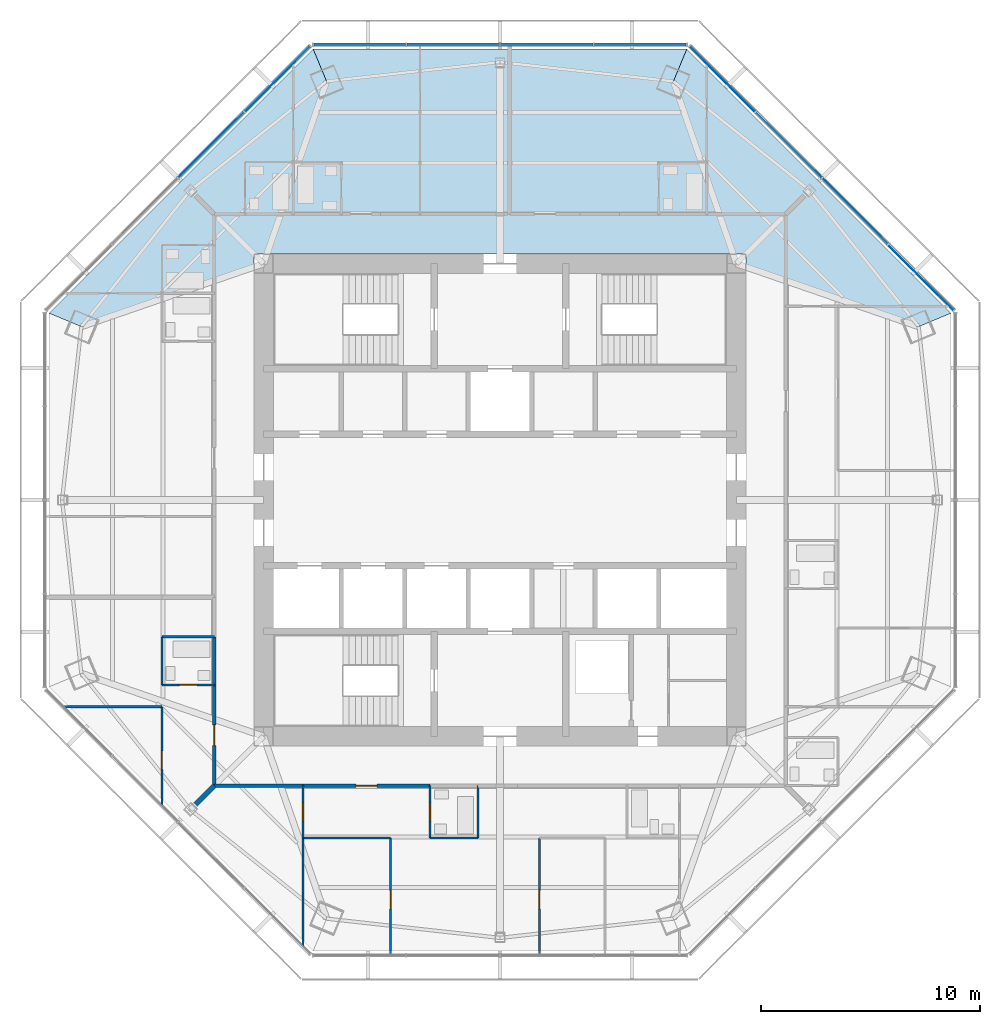
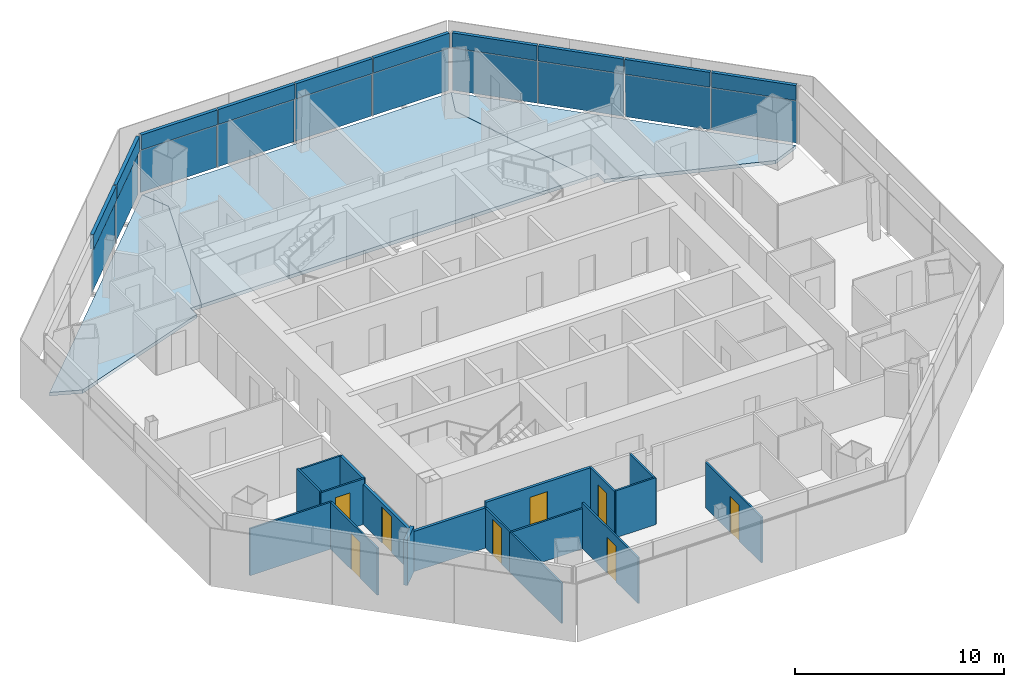
# One storey, part 8 of 14: 20 plates, 18 walls, 8 doors, 3 slabs, 8 openings, 3 elements without a shape of their own.
"""IFC4 building model written with IfcOpenShell, lengths in metres."""

from ifc_helpers import new_model, si_unit, direction, frame, frame_2d, origin, origin_2d, place, context, subcontext, project, spatial, polyline, rectangle, outline, extrude, source, transform, mapped, material, layer, layer_set, type_object, type_shapes, element, fill, aggregate, save


model = new_model("IFC4")

# Units and contexts
model_context = context("Model", 3, precision=1e-05, world=origin(), true_north=direction((0.0, 1.0)))
body_context = subcontext(model_context, "Body", "Model", "MODEL_VIEW")
ifc_project = project(units=[si_unit("LENGTHUNIT", "METRE"), si_unit("AREAUNIT", "SQUARE_METRE"), si_unit("VOLUMEUNIT", "CUBIC_METRE"), si_unit("PLANEANGLEUNIT", "RADIAN"), si_unit("MASSUNIT", "GRAM", prefix="KILO")], contexts=[model_context])

# Site, building, storey
site_placement = place(None, origin())
site = spatial("IfcSite", under=ifc_project, at=site_placement, CompositionType="ELEMENT")
building_placement = place(site_placement, origin())
building = spatial("IfcBuilding", under=site, at=building_placement, Name="Mashrafa Tower", CompositionType="ELEMENT")
storey_placement = place(building_placement, frame((0.0, 0.0, 255.0)))
storey = spatial("IfcBuildingStorey", under=building, at=storey_placement, Name="L61", CompositionType="ELEMENT", Elevation=255.0)

# Slabs
ifc_material_1 = material(Name="Concrete C35/45", Category="concrete")
ifc_layer_1 = layer(ifc_material_1, 0.199951171875)
ifc_layer_set_1 = layer_set([ifc_layer_1], Name="Floor slab 200")
slab_type = type_object("IfcSlabType", Name="Floor slab 200", PredefinedType="FLOOR", material=ifc_layer_set_1)
slab_1_placement = place(storey_placement, frame((0.0, 0.0, -0.199951171875)))
element("IfcSlab", 1, at=slab_1_placement, inside=storey, type_object=slab_type, Name="Floor slab L61 north-east bay", PredefinedType="FLOOR", context=body_context, shape_type="SweptSolid", body=[
    extrude(outline(polyline([(8.533203125, 20.60107421875), (20.60107421875, 8.533203125), (20.60107421875, 8.533203125), (19.128662109375, 7.92333984375), (11.25, 10.64453125), (11.25, 11.25), (10.64453125, 11.25), (7.92333984375, 19.128662109375), (8.533203125, 20.60107421875), (8.533203125, 20.60107421875)])), origin(), (0.0, 0.0, 1.0), 0.199951171875),
])
slab_2_placement = place(storey_placement, frame((0.0, 0.0, -0.199951171875)))
element("IfcSlab", 2, at=slab_2_placement, inside=storey, type_object=slab_type, Name="Floor slab L61 north bay", PredefinedType="FLOOR", context=body_context, shape_type="SweptSolid", body=[
    extrude(outline(polyline([(8.533203125, 20.60107421875), (7.92333984375, 19.128662109375), (10.64453125, 11.25), (-10.64453125, 11.25), (-7.92333984375, 19.128662109375), (-8.533203125, 20.60107421875), (8.533203125, 20.60107421875)])), origin(), (0.0, 0.0, 1.0), 0.199951171875),
])
slab_3_placement = place(storey_placement, frame((0.0, 0.0, -0.199951171875)))
element("IfcSlab", 3, at=slab_3_placement, inside=storey, type_object=slab_type, Name="Floor slab L61 north-west bay", PredefinedType="FLOOR", context=body_context, shape_type="SweptSolid", body=[
    extrude(outline(polyline([(-20.60107421875, 8.533203125), (-8.533203125, 20.60107421875), (-8.533203125, 20.60107421875), (-7.92333984375, 19.128662109375), (-10.64453125, 11.25), (-11.25, 11.25), (-11.25, 10.64453125), (-19.128662109375, 7.92333984375), (-20.60107421875, 8.533203125), (-20.60107421875, 8.533203125)])), origin(), (0.0, 0.0, 1.0), 0.199951171875),
])

# Curtain wall, plates
ifc_material_2 = material(Name="Unitised aluminium curtain wall", Category="aluminium")
curtain_wall_type = type_object("IfcCurtainWallType", Name="Apartment curtain wall, zone 3 CW-C 180 deep", PredefinedType="NOTDEFINED", material=ifc_material_2)
curtain_wall_1_placement = place(storey_placement, origin())
curtain_wall_1 = element("IfcCurtainWall", 4, at=curtain_wall_1_placement, inside=storey, type_object=curtain_wall_type, Name="Apartment curtain wall, zone 3 L61 north-east", PredefinedType="NOTDEFINED")
ifc_material_3 = material(Name="Insulated double glazing, acoustic", Category="glass")
ifc_layer_2 = layer(ifc_material_3, 0.028076171875)
ifc_layer_set_2 = layer_set([ifc_layer_2], Name="Vision panel CW-C 28")
plate_type_1 = type_object("IfcPlateType", Name="Vision panel CW-C 28", PredefinedType="CURTAIN_PANEL", material=ifc_layer_set_2)
shared_shape_1 = source(origin(), body_context, "Body", "SweptSolid", [
    extrude(rectangle(XDim=4.1943359375, YDim=0.028076171875, at=origin_2d()), origin(), (0.0, 0.0, 1.0), 2.46240234375),
])
plate_1_placement = place(storey_placement, frame((19.242431640625, 10.1748046875, 0.0), z_axis=(0.0, 0.0, 1.0), x_axis=(-0.707106781187, 0.707106781187, 0.0)))
plate_1 = element("IfcPlate", 5, at=plate_1_placement, type_object=plate_type_1, Name="CW-C vision panel 1", PredefinedType="CURTAIN_PANEL", context=body_context, shape_type="MappedRepresentation", body=[
    mapped(shared_shape_1, transform((0.0, 0.0, 0.0))),
])
plate_2_placement = place(storey_placement, frame((10.1748046875, 19.242431640625, 0.0), z_axis=(0.0, 0.0, 1.0), x_axis=(-0.707106781187, 0.707106781187, 0.0)))
plate_2 = element("IfcPlate", 6, at=plate_2_placement, type_object=plate_type_1, Name="CW-C vision panel 4", PredefinedType="CURTAIN_PANEL", context=body_context, shape_type="MappedRepresentation", body=[
    mapped(shared_shape_1, transform((0.0, 0.0, 0.0))),
])

curtain_wall_2_placement = place(storey_placement, origin())
curtain_wall_2 = element("IfcCurtainWall", 7, at=curtain_wall_2_placement, inside=storey, type_object=curtain_wall_type, Name="Apartment curtain wall, zone 3 L61 north", PredefinedType="NOTDEFINED")
plate_3_placement = place(storey_placement, frame((6.41162109375, 20.801025390625, 0.0), z_axis=(0.0, 0.0, 1.0), x_axis=(-1.0, 0.0, 0.0)))
plate_3 = element("IfcPlate", 8, at=plate_3_placement, type_object=plate_type_1, Name="CW-C vision panel 1", PredefinedType="CURTAIN_PANEL", context=body_context, shape_type="MappedRepresentation", body=[
    mapped(shared_shape_1, transform((0.0, 0.0, 0.0))),
])
plate_4_placement = place(storey_placement, frame((-6.41162109375, 20.801025390625, 0.0), z_axis=(0.0, 0.0, 1.0), x_axis=(-1.0, 0.0, 0.0)))
plate_4 = element("IfcPlate", 9, at=plate_4_placement, type_object=plate_type_1, Name="CW-C vision panel 4", PredefinedType="CURTAIN_PANEL", context=body_context, shape_type="MappedRepresentation", body=[
    mapped(shared_shape_1, transform((0.0, 0.0, 0.0))),
])

# Curtain wall, plate
curtain_wall_3_placement = place(storey_placement, origin())
curtain_wall_3 = element("IfcCurtainWall", 10, at=curtain_wall_3_placement, inside=storey, type_object=curtain_wall_type, Name="Apartment curtain wall, zone 3 L61 north-west", PredefinedType="NOTDEFINED")
plate_5_placement = place(storey_placement, frame((-10.1748046875, 19.242431640625, 0.0), z_axis=(0.0, 0.0, 1.0), x_axis=(-0.707106781187, -0.707106781187, 0.0)))
plate_5 = element("IfcPlate", 11, at=plate_5_placement, type_object=plate_type_1, Name="CW-C vision panel 1", PredefinedType="CURTAIN_PANEL", context=body_context, shape_type="MappedRepresentation", body=[
    mapped(shared_shape_1, transform((0.0, 0.0, 0.0))),
])

# Plate
ifc_material_4 = material(Name="Insulated bronze aluminium spandrel panel", Category="aluminium")
ifc_layer_3 = layer(ifc_material_4, 0.179931640625)
ifc_layer_set_3 = layer_set([ifc_layer_3], Name="Spandrel panel CW-C 180")
plate_type_2 = type_object("IfcPlateType", Name="Spandrel panel CW-C 180", PredefinedType="CURTAIN_PANEL", material=ifc_layer_set_3)
shared_shape_2 = source(origin(), body_context, "Body", "SweptSolid", [
    extrude(rectangle(XDim=4.1943359375, YDim=0.179931640625, at=origin_2d()), origin(), (0.0, 0.0, 1.0), 0.862548828125),
])
plate_6_placement = place(storey_placement, frame((19.242431640625, 10.1748046875, 2.53759765625), z_axis=(0.0, 0.0, 1.0), x_axis=(-0.707106781187, 0.707106781187, 0.0)))
plate_6 = element("IfcPlate", 12, at=plate_6_placement, type_object=plate_type_2, Name="CW-C spandrel panel 1", PredefinedType="CURTAIN_PANEL", context=body_context, shape_type="MappedRepresentation", body=[
    mapped(shared_shape_2, transform((0.0, 0.0, 0.0))),
])

plate_7_placement = place(storey_placement, frame((10.1748046875, 19.242431640625, 2.53759765625), z_axis=(0.0, 0.0, 1.0), x_axis=(-0.707106781187, 0.707106781187, 0.0)))
plate_7 = element("IfcPlate", 13, at=plate_7_placement, type_object=plate_type_2, Name="CW-C spandrel panel 4", PredefinedType="CURTAIN_PANEL", context=body_context, shape_type="MappedRepresentation", body=[
    mapped(shared_shape_2, transform((0.0, 0.0, 0.0))),
])

plate_8_placement = place(storey_placement, frame((6.41162109375, 20.801025390625, 2.53759765625), z_axis=(0.0, 0.0, 1.0), x_axis=(-1.0, 0.0, 0.0)))
plate_8 = element("IfcPlate", 14, at=plate_8_placement, type_object=plate_type_2, Name="CW-C spandrel panel 1", PredefinedType="CURTAIN_PANEL", context=body_context, shape_type="MappedRepresentation", body=[
    mapped(shared_shape_2, transform((0.0, 0.0, 0.0))),
])

plate_9_placement = place(storey_placement, frame((-6.41162109375, 20.801025390625, 2.53759765625), z_axis=(0.0, 0.0, 1.0), x_axis=(-1.0, 0.0, 0.0)))
plate_9 = element("IfcPlate", 15, at=plate_9_placement, type_object=plate_type_2, Name="CW-C spandrel panel 4", PredefinedType="CURTAIN_PANEL", context=body_context, shape_type="MappedRepresentation", body=[
    mapped(shared_shape_2, transform((0.0, 0.0, 0.0))),
])

plate_10_placement = place(storey_placement, frame((-10.1748046875, 19.242431640625, 2.53759765625), z_axis=(0.0, 0.0, 1.0), x_axis=(-0.707106781187, -0.707106781187, 0.0)))
plate_10 = element("IfcPlate", 16, at=plate_10_placement, type_object=plate_type_2, Name="CW-C spandrel panel 1", PredefinedType="CURTAIN_PANEL", context=body_context, shape_type="MappedRepresentation", body=[
    mapped(shared_shape_2, transform((0.0, 0.0, 0.0))),
])

shared_shape_3 = source(origin(), body_context, "Body", "SweptSolid", [
    extrude(rectangle(XDim=4.224365234375, YDim=0.028076171875, at=origin_2d()), origin(), (0.0, 0.0, 1.0), 2.46240234375),
])
type_shapes(plate_type_1, [shared_shape_1, shared_shape_3])
plate_11_placement = place(storey_placement, frame((16.223388671875, 13.19384765625, 0.0), z_axis=(0.0, 0.0, 1.0), x_axis=(-0.707106781187, 0.707106781187, 0.0)))
plate_11 = element("IfcPlate", 17, at=plate_11_placement, type_object=plate_type_1, Name="CW-C vision panel 2", PredefinedType="CURTAIN_PANEL", context=body_context, shape_type="MappedRepresentation", body=[
    mapped(shared_shape_3, transform((0.0, 0.0, 0.0))),
])

plate_12_placement = place(storey_placement, frame((13.19384765625, 16.223388671875, 0.0), z_axis=(0.0, 0.0, 1.0), x_axis=(-0.707106781187, 0.707106781187, 0.0)))
plate_12 = element("IfcPlate", 18, at=plate_12_placement, type_object=plate_type_1, Name="CW-C vision panel 3", PredefinedType="CURTAIN_PANEL", context=body_context, shape_type="MappedRepresentation", body=[
    mapped(shared_shape_3, transform((0.0, 0.0, 0.0))),
])

plate_13_placement = place(storey_placement, frame((2.14208984375, 20.801025390625, 0.0), z_axis=(0.0, 0.0, 1.0), x_axis=(-1.0, 0.0, 0.0)))
plate_13 = element("IfcPlate", 19, at=plate_13_placement, type_object=plate_type_1, Name="CW-C vision panel 2", PredefinedType="CURTAIN_PANEL", context=body_context, shape_type="MappedRepresentation", body=[
    mapped(shared_shape_3, transform((0.0, 0.0, 0.0))),
])

plate_14_placement = place(storey_placement, frame((-2.14208984375, 20.801025390625, 0.0), z_axis=(0.0, 0.0, 1.0), x_axis=(-1.0, 0.0, 0.0)))
plate_14 = element("IfcPlate", 20, at=plate_14_placement, type_object=plate_type_1, Name="CW-C vision panel 3", PredefinedType="CURTAIN_PANEL", context=body_context, shape_type="MappedRepresentation", body=[
    mapped(shared_shape_3, transform((0.0, 0.0, 0.0))),
])

plate_15_placement = place(storey_placement, frame((-13.19384765625, 16.223388671875, 0.0), z_axis=(0.0, 0.0, 1.0), x_axis=(-0.707106781187, -0.707106781187, 0.0)))
plate_15 = element("IfcPlate", 21, at=plate_15_placement, type_object=plate_type_1, Name="CW-C vision panel 2", PredefinedType="CURTAIN_PANEL", context=body_context, shape_type="MappedRepresentation", body=[
    mapped(shared_shape_3, transform((0.0, 0.0, 0.0))),
])

shared_shape_4 = source(origin(), body_context, "Body", "SweptSolid", [
    extrude(rectangle(XDim=4.224365234375, YDim=0.179931640625, at=origin_2d()), origin(), (0.0, 0.0, 1.0), 0.862548828125),
])
type_shapes(plate_type_2, [shared_shape_2, shared_shape_4])
plate_16_placement = place(storey_placement, frame((16.223388671875, 13.19384765625, 2.53759765625), z_axis=(0.0, 0.0, 1.0), x_axis=(-0.707106781187, 0.707106781187, 0.0)))
plate_16 = element("IfcPlate", 22, at=plate_16_placement, type_object=plate_type_2, Name="CW-C spandrel panel 2", PredefinedType="CURTAIN_PANEL", context=body_context, shape_type="MappedRepresentation", body=[
    mapped(shared_shape_4, transform((0.0, 0.0, 0.0))),
])

plate_17_placement = place(storey_placement, frame((13.19384765625, 16.223388671875, 2.53759765625), z_axis=(0.0, 0.0, 1.0), x_axis=(-0.707106781187, 0.707106781187, 0.0)))
plate_17 = element("IfcPlate", 23, at=plate_17_placement, type_object=plate_type_2, Name="CW-C spandrel panel 3", PredefinedType="CURTAIN_PANEL", context=body_context, shape_type="MappedRepresentation", body=[
    mapped(shared_shape_4, transform((0.0, 0.0, 0.0))),
])

aggregate(curtain_wall_1, [plate_1, plate_6, plate_11, plate_16, plate_12, plate_17, plate_2, plate_7])

plate_18_placement = place(storey_placement, frame((2.14208984375, 20.801025390625, 2.53759765625), z_axis=(0.0, 0.0, 1.0), x_axis=(-1.0, 0.0, 0.0)))
plate_18 = element("IfcPlate", 24, at=plate_18_placement, type_object=plate_type_2, Name="CW-C spandrel panel 2", PredefinedType="CURTAIN_PANEL", context=body_context, shape_type="MappedRepresentation", body=[
    mapped(shared_shape_4, transform((0.0, 0.0, 0.0))),
])

plate_19_placement = place(storey_placement, frame((-2.14208984375, 20.801025390625, 2.53759765625), z_axis=(0.0, 0.0, 1.0), x_axis=(-1.0, 0.0, 0.0)))
plate_19 = element("IfcPlate", 25, at=plate_19_placement, type_object=plate_type_2, Name="CW-C spandrel panel 3", PredefinedType="CURTAIN_PANEL", context=body_context, shape_type="MappedRepresentation", body=[
    mapped(shared_shape_4, transform((0.0, 0.0, 0.0))),
])

aggregate(curtain_wall_2, [plate_3, plate_8, plate_13, plate_18, plate_14, plate_19, plate_4, plate_9])

plate_20_placement = place(storey_placement, frame((-13.19384765625, 16.223388671875, 2.53759765625), z_axis=(0.0, 0.0, 1.0), x_axis=(-0.707106781187, -0.707106781187, 0.0)))
plate_20 = element("IfcPlate", 26, at=plate_20_placement, type_object=plate_type_2, Name="CW-C spandrel panel 2", PredefinedType="CURTAIN_PANEL", context=body_context, shape_type="MappedRepresentation", body=[
    mapped(shared_shape_4, transform((0.0, 0.0, 0.0))),
])

aggregate(curtain_wall_3, [plate_5, plate_10, plate_15, plate_20])

# Walls
ifc_material_5 = material(Name="Gypsum board on steel studs", Category="steel")
ifc_layer_4 = layer(ifc_material_5, 0.199951171875)
ifc_layer_set_4 = layer_set([ifc_layer_4], Name="Acoustic partition 200 1 hr")
wall_type_1 = type_object("IfcWallType", Name="Acoustic partition 200 1 hr", PredefinedType="PARTITIONING", material=ifc_layer_set_4)
wall_1_placement = place(storey_placement, frame((-13.90234375, -13.90234375, 0.0), z_axis=(0.0, 0.0, 1.0), x_axis=(0.707106781187, 0.707106781187, 0.0)))
element("IfcWall", 27, at=wall_1_placement, inside=storey, type_object=wall_type_1, Name="Acoustic wall L61-086", PredefinedType="PARTITIONING", context=body_context, shape_type="SweptSolid", body=[
    extrude(rectangle(XDim=1.205322265625, YDim=0.199951171875, at=frame_2d((0.6025390625, 0.0))), origin(), (0.0, 0.0, 1.0), 2.656494140625),
])
ifc_material_6 = material(Name="Gypsum board on steel studs", Category="steel")
ifc_layer_5 = layer(ifc_material_6, 0.14990234375)
ifc_layer_set_5 = layer_set([ifc_layer_5], Name="Corridor partition 150 1 hr")
wall_type_2 = type_object("IfcWallType", Name="Corridor partition 150 1 hr", PredefinedType="PARTITIONING", material=ifc_layer_set_5)
wall_2_placement = place(storey_placement, frame((-13.050048828125, -6.2490234375, 0.0), z_axis=(0.0, 0.0, 1.0), x_axis=(0.0, -1.0, 0.0)))
element("IfcWall", 28, at=wall_2_placement, inside=storey, type_object=wall_type_2, Name="Corridor wall L61-030", PredefinedType="PARTITIONING", context=body_context, shape_type="SweptSolid", body=[
    extrude(rectangle(XDim=2.201904296875, YDim=0.14990234375, at=frame_2d((1.10107421875, 0.0))), origin(), (0.0, 0.0, 1.0), 2.66162109375),
])

# Wall, opening, door
wall_3_placement = place(storey_placement, frame((-13.050048828125, -8.448974609375, 0.0), z_axis=(0.0, 0.0, 1.0), x_axis=(0.0, -1.0, 0.0)))
wall_3 = element("IfcWall", 29, at=wall_3_placement, inside=storey, type_object=wall_type_2, Name="Corridor wall L61-032", PredefinedType="PARTITIONING", context=body_context, shape_type="SweptSolid", body=[
    extrude(rectangle(XDim=4.60107421875, YDim=0.14990234375, at=frame_2d((2.300537109375, 0.0))), origin(), (0.0, 0.0, 1.0), 2.349365234375),
])
opening_1_placement = place(wall_3_placement, frame((1.825439453125, 0.0, 0.0)))
opening_1 = element("IfcOpeningElement", 30, at=opening_1_placement, cuts=wall_3, Name="Opening 61.023", PredefinedType="OPENING", context=body_context, shape_type="SweptSolid", body=[
    extrude(rectangle(XDim=0.949951171875, YDim=2.10009765625, at=frame_2d((0.47509765625, 1.050048828125))), frame((0.0, 0.0849609375, 0.0), z_axis=(0.0, -1.0, 0.0), x_axis=(1.0, 0.0, 0.0)), (0.0, 0.0, 1.0), 0.169921875),
])
ifc_material_7 = material(Name="Steel door", Category="steel")
door_type_1 = type_object("IfcDoorType", Name="Residence entrance door 950 x 2100 20 min", OperationType="USERDEFINED", PredefinedType="DOOR", material=ifc_material_7)
door_1_placement = place(opening_1_placement, frame((0.949951171875, 0.0, 0.0), z_axis=(0.0, 0.0, 1.0), x_axis=(-1.0, 0.0, 0.0)))
door_1 = element("IfcDoor", 31, at=door_1_placement, inside=storey, type_object=door_type_1, Name="Apartment 6105 Living Room door", OperationType="SINGLE_SWING_LEFT", OverallHeight=2.10009765625, OverallWidth=0.949951171875, PredefinedType="DOOR", context=body_context, shape_type="SweptSolid", body=[
    extrude(rectangle(XDim=0.949951171875, YDim=2.10009765625, at=frame_2d((0.47509765625, 1.050048828125))), frame((0.0, 0.02490234375, 0.0), z_axis=(0.0, -1.0, 0.0), x_axis=(1.0, 0.0, 0.0)), (0.0, 0.0, 1.0), 0.050048828125),
])
fill(opening_1, door_1)

# Wall
wall_4_placement = place(storey_placement, frame((-13.050048828125, -13.050048828125, 0.0), z_axis=(0.0, 0.0, 1.0), x_axis=(1.0, 0.0, 0.0)))
element("IfcWall", 32, at=wall_4_placement, inside=storey, type_object=wall_type_2, Name="Corridor wall L61-033", PredefinedType="PARTITIONING", context=body_context, shape_type="SweptSolid", body=[
    extrude(rectangle(XDim=4.051025390625, YDim=0.14990234375, at=frame_2d((2.025390625, 0.0))), origin(), (0.0, 0.0, 1.0), 2.349365234375),
])

# Wall, opening, door
wall_5_placement = place(storey_placement, frame((-9.0009765625, -13.050048828125, 0.0), z_axis=(0.0, 0.0, 1.0), x_axis=(1.0, 0.0, 0.0)))
wall_5 = element("IfcWall", 33, at=wall_5_placement, inside=storey, type_object=wall_type_2, Name="Corridor wall L61-040", PredefinedType="PARTITIONING", context=body_context, shape_type="SweptSolid", body=[
    extrude(rectangle(XDim=5.802001953125, YDim=0.14990234375, at=frame_2d((2.90087890625, 0.0))), origin(), (0.0, 0.0, 1.0), 2.66162109375),
])
opening_2_placement = place(wall_5_placement, frame((2.426025390625, 0.0, 0.0)))
opening_2 = element("IfcOpeningElement", 34, at=opening_2_placement, cuts=wall_5, Name="Opening 61.029", PredefinedType="OPENING", context=body_context, shape_type="SweptSolid", body=[
    extrude(rectangle(XDim=0.949951171875, YDim=2.10009765625, at=frame_2d((0.47509765625, 1.050048828125))), frame((0.0, 0.0849609375, 0.0), z_axis=(0.0, -1.0, 0.0), x_axis=(1.0, 0.0, 0.0)), (0.0, 0.0, 1.0), 0.169921875),
])
door_2_placement = place(opening_2_placement, frame((0.949951171875, 0.0, 0.0), z_axis=(0.0, 0.0, 1.0), x_axis=(-1.0, 0.0, 0.0)))
door_2 = element("IfcDoor", 35, at=door_2_placement, inside=storey, type_object=door_type_1, Name="Apartment 6106 Living Room door", OperationType="SINGLE_SWING_RIGHT", OverallHeight=2.10009765625, OverallWidth=0.949951171875, PredefinedType="DOOR", context=body_context, shape_type="SweptSolid", body=[
    extrude(rectangle(XDim=0.949951171875, YDim=2.10009765625, at=frame_2d((0.47509765625, 1.050048828125))), frame((0.0, 0.02490234375, 0.0), z_axis=(0.0, -1.0, 0.0), x_axis=(1.0, 0.0, 0.0)), (0.0, 0.0, 1.0), 0.050048828125),
])
fill(opening_2, door_2)

ifc_material_8 = material(Name="Gypsum board on steel studs", Category="steel")
ifc_layer_6 = layer(ifc_material_8, 0.10009765625)
ifc_layer_set_6 = layer_set([ifc_layer_6], Name="Partition 100")
wall_type_3 = type_object("IfcWallType", Name="Partition 100", PredefinedType="PARTITIONING", material=ifc_layer_set_6)
wall_6_placement = place(storey_placement, frame((-15.449951171875, -13.9453125, 0.0), z_axis=(0.0, 0.0, 1.0), x_axis=(0.0, 1.0, 0.0)))
wall_6 = element("IfcWall", 36, at=wall_6_placement, inside=storey, type_object=wall_type_3, Name="Partition wall L61-081", PredefinedType="PARTITIONING", context=body_context, shape_type="SweptSolid", body=[
    extrude(rectangle(XDim=4.495361328125, YDim=0.10009765625, at=frame_2d((2.24755859375, 0.0))), origin(), (0.0, 0.0, 1.0), 2.740478515625),
])
opening_3_placement = place(wall_6_placement, frame((1.625732421875, 0.0, 0.0)))
opening_3 = element("IfcOpeningElement", 37, at=opening_3_placement, cuts=wall_6, Name="Opening 61.021", PredefinedType="OPENING", context=body_context, shape_type="SweptSolid", body=[
    extrude(rectangle(XDim=0.85009765625, YDim=2.10009765625, at=frame_2d((0.425048828125, 1.050048828125))), frame((0.0, 0.06005859375, 0.0), z_axis=(0.0, -1.0, 0.0), x_axis=(1.0, 0.0, 0.0)), (0.0, 0.0, 1.0), 0.1201171875),
])
ifc_material_9 = material(Name="Timber door", Category="wood")
door_type_2 = type_object("IfcDoorType", Name="Bedroom door 850 x 2100", OperationType="USERDEFINED", PredefinedType="DOOR", material=ifc_material_9)
door_3_placement = place(opening_3_placement, origin())
door_3 = element("IfcDoor", 38, at=door_3_placement, inside=storey, type_object=door_type_2, Name="Apartment 6105 Bedroom 1 door", OperationType="SINGLE_SWING_LEFT", OverallHeight=2.10009765625, OverallWidth=0.85009765625, PredefinedType="DOOR", context=body_context, shape_type="SweptSolid", body=[
    extrude(rectangle(XDim=0.85009765625, YDim=2.10009765625, at=frame_2d((0.425048828125, 1.050048828125))), frame((0.0, 0.02490234375, 0.0), z_axis=(0.0, -1.0, 0.0), x_axis=(1.0, 0.0, 0.0)), (0.0, 0.0, 1.0), 0.050048828125),
])
fill(opening_3, door_3)

# Walls
wall_7_placement = place(storey_placement, frame((-15.449951171875, -9.449951171875, 0.0), z_axis=(0.0, 0.0, 1.0), x_axis=(-1.0, 0.0, 0.0)))
element("IfcWall", 39, at=wall_7_placement, inside=storey, type_object=wall_type_3, Name="Partition wall L61-082", PredefinedType="PARTITIONING", context=body_context, shape_type="SweptSolid", body=[
    extrude(rectangle(XDim=4.493408203125, YDim=0.10009765625, at=frame_2d((2.24658203125, 0.0))), origin(), (0.0, 0.0, 1.0), 2.740478515625),
])
wall_8_placement = place(storey_placement, frame((-13.050048828125, -6.25, 0.0), z_axis=(0.0, 0.0, 1.0), x_axis=(-1.0, 0.0, 0.0)))
element("IfcWall", 40, at=wall_8_placement, inside=storey, type_object=wall_type_3, Name="Partition wall L61-083", PredefinedType="PARTITIONING", context=body_context, shape_type="SweptSolid", body=[
    extrude(rectangle(XDim=2.39990234375, YDim=0.10009765625, at=frame_2d((1.199951171875, 0.0))), origin(), (0.0, 0.0, 1.0), 2.66162109375),
])
wall_9_placement = place(storey_placement, frame((-15.449951171875, -6.25, 0.0), z_axis=(0.0, 0.0, 1.0), x_axis=(0.0, -1.0, 0.0)))
element("IfcWall", 41, at=wall_9_placement, inside=storey, type_object=wall_type_3, Name="Partition wall L61-084", PredefinedType="PARTITIONING", context=body_context, shape_type="SweptSolid", body=[
    extrude(rectangle(XDim=2.199951171875, YDim=0.10009765625, at=frame_2d((1.10009765625, 0.0))), origin(), (0.0, 0.0, 1.0), 2.740478515625),
])

# Wall, opening, door
wall_10_placement = place(storey_placement, frame((-15.449951171875, -8.449951171875, 0.0), z_axis=(0.0, 0.0, 1.0), x_axis=(1.0, 0.0, 0.0)))
wall_10 = element("IfcWall", 42, at=wall_10_placement, inside=storey, type_object=wall_type_3, Name="Partition wall L61-085", PredefinedType="PARTITIONING", context=body_context, shape_type="SweptSolid", body=[
    extrude(rectangle(XDim=2.39990234375, YDim=0.10009765625, at=frame_2d((1.199951171875, 0.0))), origin(), (0.0, 0.0, 1.0), 2.66162109375),
])
opening_4_placement = place(wall_10_placement, frame((0.800048828125, 0.0, 0.0)))
opening_4 = element("IfcOpeningElement", 43, at=opening_4_placement, cuts=wall_10, Name="Opening 61.022", PredefinedType="OPENING", context=body_context, shape_type="SweptSolid", body=[
    extrude(rectangle(XDim=0.800048828125, YDim=2.10009765625, at=frame_2d((0.39990234375, 1.050048828125))), frame((0.0, 0.06005859375, 0.0), z_axis=(0.0, -1.0, 0.0), x_axis=(1.0, 0.0, 0.0)), (0.0, 0.0, 1.0), 0.1201171875),
])
ifc_material_10 = material(Name="Timber door", Category="wood")
door_type_3 = type_object("IfcDoorType", Name="Bathroom door 800 x 2100", OperationType="USERDEFINED", PredefinedType="DOOR", material=ifc_material_10)
door_4_placement = place(opening_4_placement, origin())
door_4 = element("IfcDoor", 44, at=door_4_placement, inside=storey, type_object=door_type_3, Name="Apartment 6105 Bathroom door", OperationType="SINGLE_SWING_RIGHT", OverallHeight=2.10009765625, OverallWidth=0.800048828125, PredefinedType="DOOR", context=body_context, shape_type="SweptSolid", body=[
    extrude(rectangle(XDim=0.800048828125, YDim=2.10009765625, at=frame_2d((0.39990234375, 1.050048828125))), frame((0.0, 0.02490234375, 0.0), z_axis=(0.0, -1.0, 0.0), x_axis=(1.0, 0.0, 0.0)), (0.0, 0.0, 1.0), 0.050048828125),
])
fill(opening_4, door_4)

# Wall
wall_11_placement = place(storey_placement, frame((-9.0, -20.393310546875, 0.0), z_axis=(0.0, 0.0, 1.0), x_axis=(0.0, 1.0, 0.0)))
element("IfcWall", 45, at=wall_11_placement, inside=storey, type_object=wall_type_3, Name="Partition wall L61-087", PredefinedType="PARTITIONING", context=body_context, shape_type="SweptSolid", body=[
    extrude(rectangle(XDim=4.9443359375, YDim=0.10009765625, at=frame_2d((2.47216796875, 0.0))), origin(), (0.0, 0.0, 1.0), 2.349365234375),
])

# Wall, opening, door
wall_12_placement = place(storey_placement, frame((-9.0, -15.450927734375, 0.0), z_axis=(0.0, 0.0, 1.0), x_axis=(0.0, 1.0, 0.0)))
wall_12 = element("IfcWall", 46, at=wall_12_placement, inside=storey, type_object=wall_type_3, Name="Partition wall L61-088", PredefinedType="PARTITIONING", context=body_context, shape_type="SweptSolid", body=[
    extrude(rectangle(XDim=2.40087890625, YDim=0.10009765625, at=frame_2d((1.200439453125, 0.0))), origin(), (0.0, 0.0, 1.0), 2.349365234375),
])
opening_5_placement = place(wall_12_placement, frame((0.775390625, 0.0, 0.0)))
opening_5 = element("IfcOpeningElement", 47, at=opening_5_placement, cuts=wall_12, Name="Opening 61.024", PredefinedType="OPENING", context=body_context, shape_type="SweptSolid", body=[
    extrude(rectangle(XDim=0.85009765625, YDim=2.10009765625, at=frame_2d((0.425048828125, 1.050048828125))), frame((0.0, 0.06005859375, 0.0), z_axis=(0.0, -1.0, 0.0), x_axis=(1.0, 0.0, 0.0)), (0.0, 0.0, 1.0), 0.1201171875),
])
door_5_placement = place(opening_5_placement, origin())
door_5 = element("IfcDoor", 48, at=door_5_placement, inside=storey, type_object=door_type_2, Name="Apartment 6106 Bedroom 1 door", OperationType="SINGLE_SWING_RIGHT", OverallHeight=2.10009765625, OverallWidth=0.85009765625, PredefinedType="DOOR", context=body_context, shape_type="SweptSolid", body=[
    extrude(rectangle(XDim=0.85009765625, YDim=2.10009765625, at=frame_2d((0.425048828125, 1.050048828125))), frame((0.0, 0.02490234375, 0.0), z_axis=(0.0, -1.0, 0.0), x_axis=(1.0, 0.0, 0.0)), (0.0, 0.0, 1.0), 0.050048828125),
])
fill(opening_5, door_5)

wall_13_placement = place(storey_placement, frame((-5.0, -20.78515625, 0.0), z_axis=(0.0, 0.0, 1.0), x_axis=(0.0, 1.0, 0.0)))
wall_13 = element("IfcWall", 49, at=wall_13_placement, inside=storey, type_object=wall_type_3, Name="Partition wall L61-089", PredefinedType="PARTITIONING", context=body_context, shape_type="SweptSolid", body=[
    extrude(rectangle(XDim=5.335205078125, YDim=0.10009765625, at=frame_2d((2.66748046875, 0.0))), origin(), (0.0, 0.0, 1.0), 2.66162109375),
])
opening_6_placement = place(wall_13_placement, frame((2.1044921875, 0.0, 0.0)))
opening_6 = element("IfcOpeningElement", 50, at=opening_6_placement, cuts=wall_13, Name="Opening 61.025", PredefinedType="OPENING", context=body_context, shape_type="SweptSolid", body=[
    extrude(rectangle(XDim=0.85009765625, YDim=2.10009765625, at=frame_2d((0.425048828125, 1.050048828125))), frame((0.0, 0.06005859375, 0.0), z_axis=(0.0, -1.0, 0.0), x_axis=(1.0, 0.0, 0.0)), (0.0, 0.0, 1.0), 0.1201171875),
])
door_6_placement = place(opening_6_placement, origin())
door_6 = element("IfcDoor", 51, at=door_6_placement, inside=storey, type_object=door_type_2, Name="Apartment 6106 Bedroom 2 door", OperationType="SINGLE_SWING_LEFT", OverallHeight=2.10009765625, OverallWidth=0.85009765625, PredefinedType="DOOR", context=body_context, shape_type="SweptSolid", body=[
    extrude(rectangle(XDim=0.85009765625, YDim=2.10009765625, at=frame_2d((0.425048828125, 1.050048828125))), frame((0.0, 0.02490234375, 0.0), z_axis=(0.0, -1.0, 0.0), x_axis=(1.0, 0.0, 0.0)), (0.0, 0.0, 1.0), 0.050048828125),
])
fill(opening_6, door_6)

# Walls
wall_14_placement = place(storey_placement, frame((-5.0, -15.449951171875, 0.0), z_axis=(0.0, 0.0, 1.0), x_axis=(-1.0, 0.0, 0.0)))
element("IfcWall", 52, at=wall_14_placement, inside=storey, type_object=wall_type_3, Name="Partition wall L61-090", PredefinedType="PARTITIONING", context=body_context, shape_type="SweptSolid", body=[
    extrude(rectangle(XDim=4.0, YDim=0.10009765625, at=frame_2d((2.0, 0.0))), origin(), (0.0, 0.0, 1.0), 2.349365234375),
])
wall_15_placement = place(storey_placement, frame((-1.0, -15.449951171875, 0.0), z_axis=(0.0, 0.0, 1.0), x_axis=(0.0, 1.0, 0.0)))
element("IfcWall", 53, at=wall_15_placement, inside=storey, type_object=wall_type_3, Name="Partition wall L61-091", PredefinedType="PARTITIONING", context=body_context, shape_type="SweptSolid", body=[
    extrude(rectangle(XDim=2.39990234375, YDim=0.10009765625, at=frame_2d((1.199951171875, 0.0))), origin(), (0.0, 0.0, 1.0), 2.66162109375),
])

# Wall, opening, door
wall_16_placement = place(storey_placement, frame((-3.199951171875, -13.050048828125, 0.0), z_axis=(0.0, 0.0, 1.0), x_axis=(0.0, -1.0, 0.0)))
wall_16 = element("IfcWall", 54, at=wall_16_placement, inside=storey, type_object=wall_type_3, Name="Partition wall L61-092", PredefinedType="PARTITIONING", context=body_context, shape_type="SweptSolid", body=[
    extrude(rectangle(XDim=2.39990234375, YDim=0.10009765625, at=frame_2d((1.199951171875, 0.0))), origin(), (0.0, 0.0, 1.0), 2.66162109375),
])
opening_7_placement = place(wall_16_placement, frame((0.800048828125, 0.0, 0.0)))
opening_7 = element("IfcOpeningElement", 55, at=opening_7_placement, cuts=wall_16, Name="Opening 61.026", PredefinedType="OPENING", context=body_context, shape_type="SweptSolid", body=[
    extrude(rectangle(XDim=0.800048828125, YDim=2.10009765625, at=frame_2d((0.39990234375, 1.050048828125))), frame((0.0, 0.06005859375, 0.0), z_axis=(0.0, -1.0, 0.0), x_axis=(1.0, 0.0, 0.0)), (0.0, 0.0, 1.0), 0.1201171875),
])
door_7_placement = place(opening_7_placement, origin())
door_7 = element("IfcDoor", 56, at=door_7_placement, inside=storey, type_object=door_type_3, Name="Apartment 6106 Bathroom door", OperationType="SINGLE_SWING_RIGHT", OverallHeight=2.10009765625, OverallWidth=0.800048828125, PredefinedType="DOOR", context=body_context, shape_type="SweptSolid", body=[
    extrude(rectangle(XDim=0.800048828125, YDim=2.10009765625, at=frame_2d((0.39990234375, 1.050048828125))), frame((0.0, 0.02490234375, 0.0), z_axis=(0.0, -1.0, 0.0), x_axis=(1.0, 0.0, 0.0)), (0.0, 0.0, 1.0), 0.050048828125),
])
fill(opening_7, door_7)

# Wall
wall_17_placement = place(storey_placement, frame((-3.199951171875, -15.449951171875, 0.0), z_axis=(0.0, 0.0, 1.0), x_axis=(1.0, 0.0, 0.0)))
element("IfcWall", 57, at=wall_17_placement, inside=storey, type_object=wall_type_3, Name="Partition wall L61-093", PredefinedType="PARTITIONING", context=body_context, shape_type="SweptSolid", body=[
    extrude(rectangle(XDim=2.199951171875, YDim=0.10009765625, at=frame_2d((1.10009765625, 0.0))), origin(), (0.0, 0.0, 1.0), 2.740478515625),
])

# Wall, opening, door
wall_18_placement = place(storey_placement, frame((1.800048828125, -20.78515625, 0.0), z_axis=(0.0, 0.0, 1.0), x_axis=(0.0, 1.0, 0.0)))
wall_18 = element("IfcWall", 58, at=wall_18_placement, inside=storey, type_object=wall_type_3, Name="Partition wall L61-099", PredefinedType="PARTITIONING", context=body_context, shape_type="SweptSolid", body=[
    extrude(rectangle(XDim=5.335205078125, YDim=0.10009765625, at=frame_2d((2.66748046875, 0.0))), origin(), (0.0, 0.0, 1.0), 2.66162109375),
])
opening_8_placement = place(wall_18_placement, frame((2.1044921875, 0.0, 0.0)))
opening_8 = element("IfcOpeningElement", 59, at=opening_8_placement, cuts=wall_18, Name="Opening 61.030", PredefinedType="OPENING", context=body_context, shape_type="SweptSolid", body=[
    extrude(rectangle(XDim=0.85009765625, YDim=2.10009765625, at=frame_2d((0.425048828125, 1.050048828125))), frame((0.0, 0.06005859375, 0.0), z_axis=(0.0, -1.0, 0.0), x_axis=(1.0, 0.0, 0.0)), (0.0, 0.0, 1.0), 0.1201171875),
])
door_8_placement = place(opening_8_placement, frame((0.85009765625, 0.0, 0.0), z_axis=(0.0, 0.0, 1.0), x_axis=(-1.0, 0.0, 0.0)))
door_8 = element("IfcDoor", 60, at=door_8_placement, inside=storey, type_object=door_type_2, Name="Apartment 6106 Dining Room door", OperationType="SINGLE_SWING_RIGHT", OverallHeight=2.10009765625, OverallWidth=0.85009765625, PredefinedType="DOOR", context=body_context, shape_type="SweptSolid", body=[
    extrude(rectangle(XDim=0.85009765625, YDim=2.10009765625, at=frame_2d((0.425048828125, 1.050048828125))), frame((0.0, 0.02490234375, 0.0), z_axis=(0.0, -1.0, 0.0), x_axis=(1.0, 0.0, 0.0)), (0.0, 0.0, 1.0), 0.050048828125),
])
fill(opening_8, door_8)

save(model, "model.ifc")
